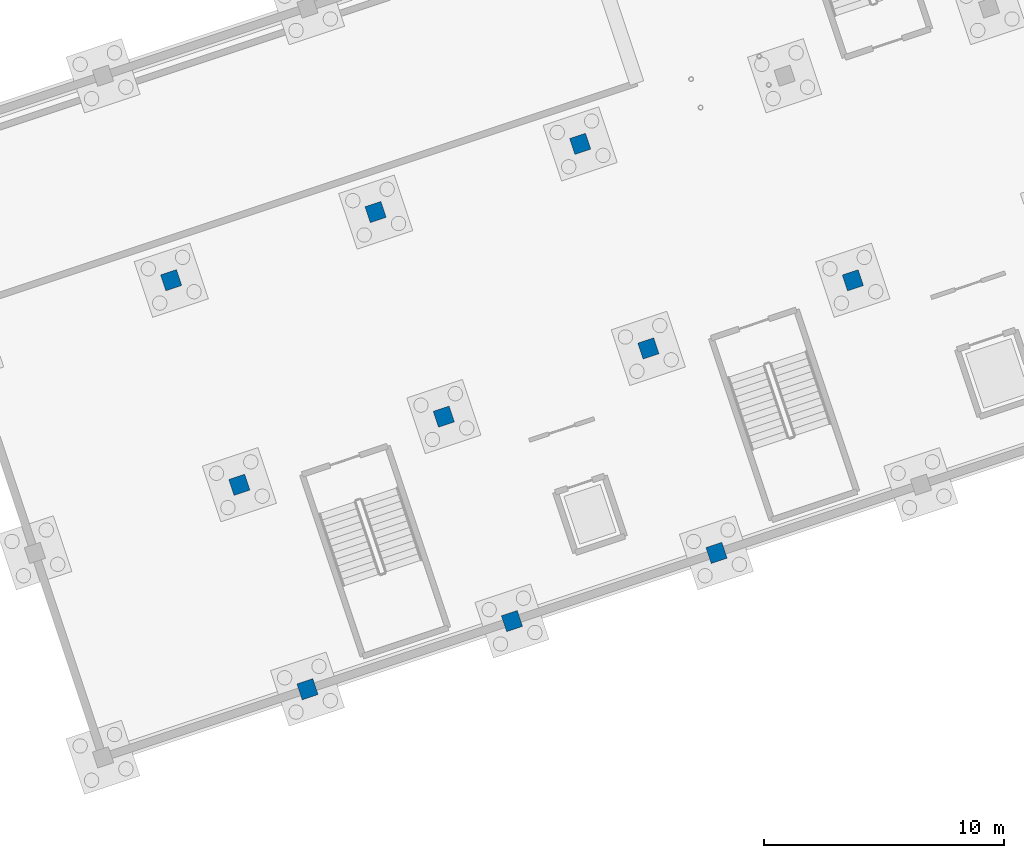
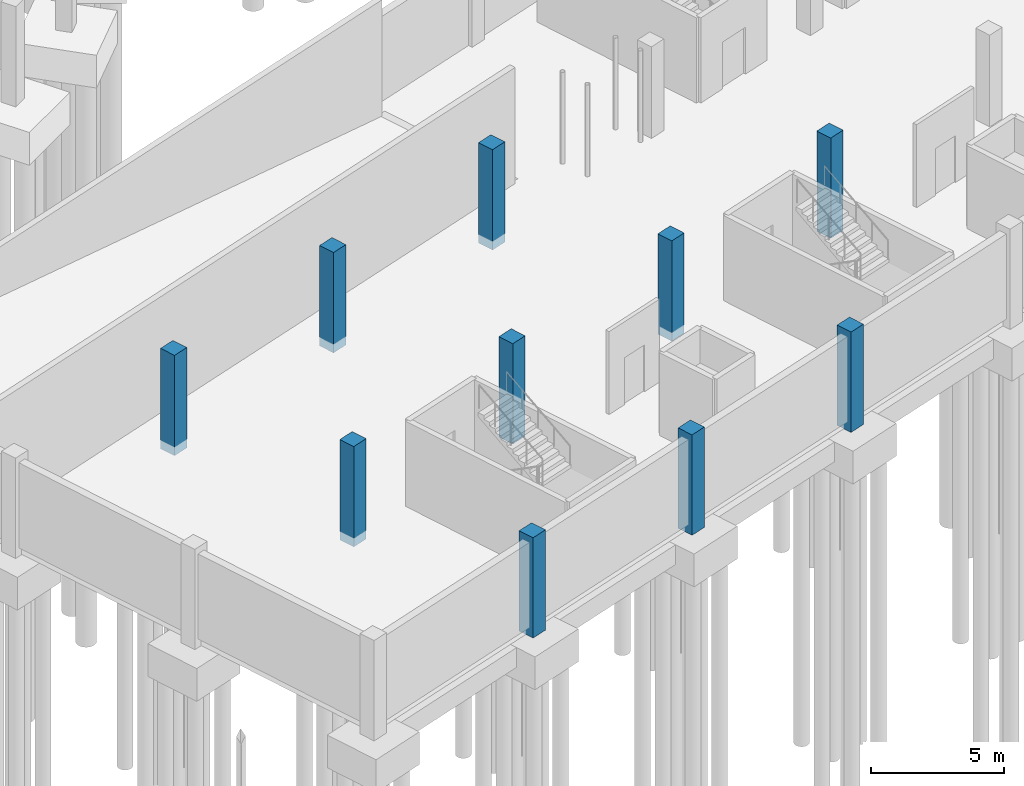
# One storey, part 11 of 36: 10 columns.
"""IFC4 building model written with IfcOpenShell, lengths in metres."""

from ifc_helpers import new_model, si_unit, derived_unit, direction, frame, origin, origin_2d, place, context, subcontext, project, spatial, rectangle, extrude, material, material_profile, profile_set, type_object, element, save


model = new_model("IFC4")

# Units and contexts
model_context = context("Model", 3, precision=1e-05, world=origin(), true_north=direction((0.0, 1.0)))
body_context = subcontext(model_context, "Body", "Model", "MODEL_VIEW")
ifc_project = project(units=[si_unit("LENGTHUNIT", "METRE"), si_unit("AREAUNIT", "SQUARE_METRE"), si_unit("VOLUMEUNIT", "CUBIC_METRE"), si_unit("PLANEANGLEUNIT", "RADIAN"), si_unit("MASSUNIT", "GRAM", prefix="KILO"), si_unit("THERMODYNAMICTEMPERATUREUNIT", "KELVIN"), si_unit("TIMEUNIT", "SECOND"), derived_unit("THERMALTRANSMITTANCEUNIT", [(si_unit("MASSUNIT", "GRAM", prefix="KILO"), 1), (si_unit("THERMODYNAMICTEMPERATUREUNIT", "KELVIN"), -1), (si_unit("TIMEUNIT", "SECOND"), -3)])], contexts=[model_context])

# Site, building, storey
site_placement = place(None, origin())
site = spatial("IfcSite", under=ifc_project, at=site_placement, CompositionType="ELEMENT")
building_placement = place(site_placement, origin())
building = spatial("IfcBuilding", under=site, at=building_placement, Name="Cambertide Market Hall", CompositionType="ELEMENT")
storey_placement = place(building_placement, frame((0.0, 0.0, -4.199951171875)))
storey = spatial("IfcBuildingStorey", under=building, at=storey_placement, Name="B1", CompositionType="ELEMENT", Elevation=-4.199951171875)

# Columns
ifc_material = material(Name="Concrete B35", Category="concrete")
ifc_material_profile = material_profile(ifc_material, rectangle(XDim=0.699951171875, YDim=0.699951171875, at=origin_2d()), Name="RC 700x700")
ifc_profile_set = profile_set([ifc_material_profile], Name="Concrete B35")
column_type = type_object("IfcColumnType", Name="Concrete Column RC 700x700", PredefinedType="COLUMN", material=ifc_profile_set)
for number, where, z_axis, x_axis, name in (
    (1, (114.5380859375, 14.845947265625, -0.400146484375), (0.0, 0.0, 1.0), (0.94868329805, 0.316227766018, 0.0), "Basement 1 Column COL-V3-2-1-B1"),
    (2, (111.692138671875, 23.38427734375, -0.400146484375), (0.0, 0.0, 1.0), (0.94868329805, 0.316227766018, 0.0), "Basement 1 Column COL-V3-2-2-B1"),
    (3, (108.845947265625, 31.92236328125, -0.400146484375), (0.0, 0.0, 1.0), (0.94868329805, 0.316227766018, 0.0), "Basement 1 Column COL-V3-2-3-B1"),
    (4, (123.076416015625, 17.692138671875, -0.400146484375), (0.0, 0.0, 1.0), (0.94868329805, 0.316227766018, 0.0), "Basement 1 Column COL-V3-3-1-B1"),
    (5, (120.230224609375, 26.230224609375, -0.400146484375), (0.0, 0.0, 1.0), (0.94868329805, 0.316227766018, 0.0), "Basement 1 Column COL-V3-3-2-B1"),
    (6, (117.38427734375, 34.768310546875, -0.400146484375), (0.0, 0.0, 1.0), (0.94868329805, 0.316227766018, 0.0), "Basement 1 Column COL-V3-3-3-B1"),
    (7, (131.614501953125, 20.5380859375, -0.400146484375), (0.0, 0.0, 1.0), (0.94868329805, 0.316227766018, 0.0), "Basement 1 Column COL-V3-4-1-B1"),
    (8, (128.768310546875, 29.076416015625, -0.400146484375), (0.0, 0.0, 1.0), (0.94868329805, 0.316227766018, 0.0), "Basement 1 Column COL-V3-4-2-B1"),
    (9, (125.92236328125, 37.614501953125, -0.400146484375), (0.0, 0.0, 1.0), (0.94868329805, 0.316227766018, 0.0), "Basement 1 Column COL-V3-4-3-B1"),
    (10, (137.306640625, 31.92236328125, -0.400146484375), (0.0, 0.0, 1.0), (0.94868329805, 0.316227766018, 0.0), "Basement 1 Column COL-V3-5-2-B1"),
):
    element("IfcColumn", number, at=place(storey_placement, frame(where, z_axis=z_axis, x_axis=x_axis)), inside=storey, type_object=column_type, Name=name, PredefinedType="COLUMN", context=body_context, shape_type="SweptSolid", body=[
        extrude(rectangle(XDim=0.699951171875, YDim=0.699951171875, at=origin_2d()), origin(), (0.0, 0.0, 1.0), 4.60009765625),
    ])

save(model, "model.ifc")
